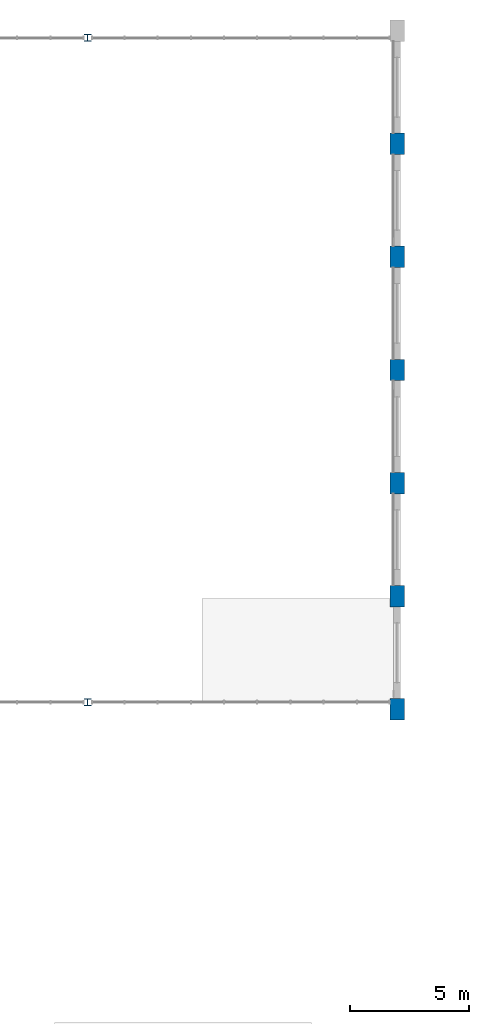
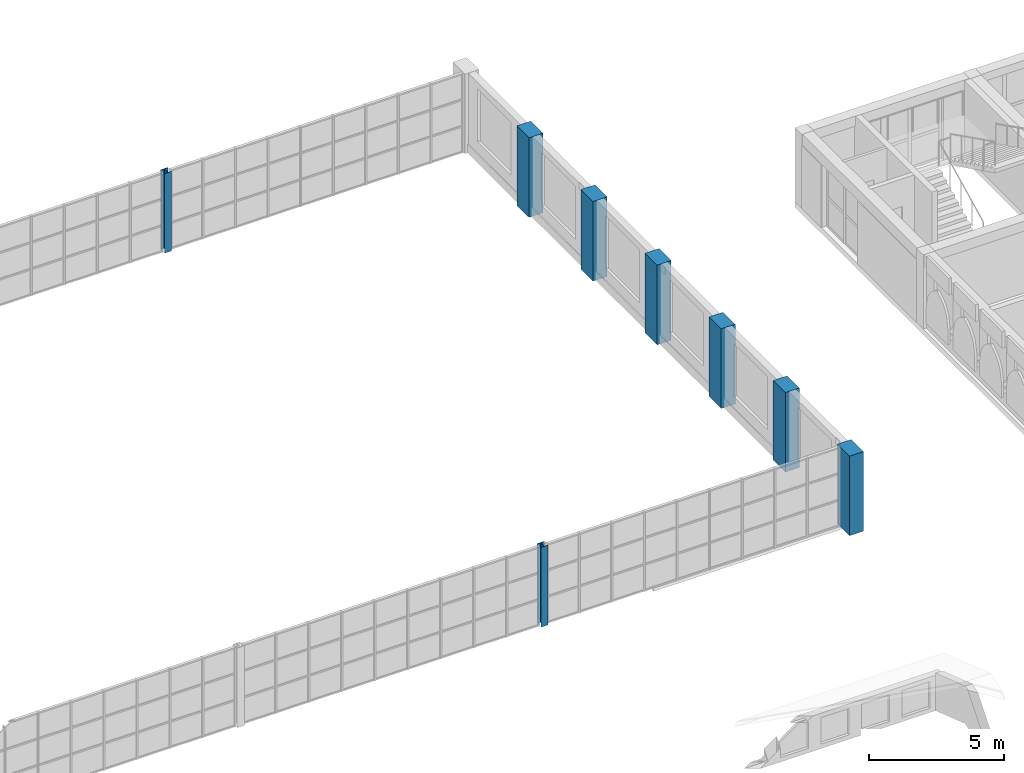
# One storey, part 3 of 70: 8 columns.
"""IFC4 building model written with IfcOpenShell, lengths in metres."""

from ifc_helpers import new_model, si_unit, direction, frame, origin, origin_2d, place, context, subcontext, project, spatial, rectangle, i_section, extrude, material, material_profile, profile_set, type_object, element, save


model = new_model("IFC4")

# Units and contexts
model_context = context("Model", 3, precision=1e-05, world=origin(), true_north=direction((0.0, 1.0)))
body_context = subcontext(model_context, "Body", "Model", "MODEL_VIEW")
ifc_project = project(units=[si_unit("LENGTHUNIT", "METRE"), si_unit("AREAUNIT", "SQUARE_METRE"), si_unit("VOLUMEUNIT", "CUBIC_METRE"), si_unit("PLANEANGLEUNIT", "RADIAN"), si_unit("MASSUNIT", "GRAM", prefix="KILO")], contexts=[model_context])

# Site, building, storey
site_placement = place(None, origin())
site = spatial("IfcSite", under=ifc_project, at=site_placement, CompositionType="ELEMENT")
building_placement = place(site_placement, origin())
building = spatial("IfcBuilding", under=site, at=building_placement, Name="Elbe Cascade School", CompositionType="ELEMENT")
storey_placement = place(building_placement, frame((0.0, 0.0, 8.10009765625)))
storey = spatial("IfcBuildingStorey", under=building, at=storey_placement, Name="L02", CompositionType="ELEMENT", Elevation=8.10009765625)

# Columns
ifc_material_1 = material(Name="Steel S355J2", Category="steel")
ifc_material_profile_1 = material_profile(ifc_material_1, i_section(OverallWidth=0.300048828125, OverallDepth=0.300048828125, WebThickness=0.010986328125, FlangeThickness=0.01904296875, FilletRadius=0.027099609375, at=origin_2d()), Name="HEB 300")
ifc_profile_set_1 = profile_set([ifc_material_profile_1], Name="Steel S355J2")
column_type_1 = type_object("IfcColumnType", Name="Hall gable post HEB 300", PredefinedType="COLUMN", material=ifc_profile_set_1)
for number, where, z_axis, x_axis, name in (
    (1, (47.0, 41.300048828125, 0.0), (0.0, 0.0, 1.0), (1.0, 0.0, 0.0), "Gable post S47"),
    (2, (47.0, 69.199951171875, 0.0), (0.0, 0.0, 1.0), (1.0, 0.0, 0.0), "Gable post N47"),
):
    element("IfcColumn", number, at=place(storey_placement, frame(where, z_axis=z_axis, x_axis=x_axis)), inside=storey, type_object=column_type_1, Name=name, PredefinedType="COLUMN", context=body_context, shape_type="SweptSolid", body=[
        extrude(i_section(OverallWidth=0.300048828125, OverallDepth=0.300048828125, WebThickness=0.010986328125, FlangeThickness=0.01904296875, FilletRadius=0.027099609375, at=origin_2d()), origin(), (0.0, 0.0, 1.0), 3.599853515625),
    ])
ifc_material_2 = material(Name="Concrete C30/37", Category="concrete")
ifc_material_profile_2 = material_profile(ifc_material_2, rectangle(XDim=0.60009765625, YDim=0.89990234375, at=origin_2d()), Name="RC 600x900")
ifc_profile_set_2 = profile_set([ifc_material_profile_2], Name="Concrete C30/37")
column_type_2 = type_object("IfcColumnType", Name="Hall pilaster RC 600x900", PredefinedType="COLUMN", material=ifc_profile_set_2)
for number, where, z_axis, x_axis, name in (
    (3, (60.0, 41.0, 0.0), (0.0, 0.0, 1.0), (1.0, 0.0, 0.0), "Pilaster E1"),
    (4, (60.0, 45.75, 0.0), (0.0, 0.0, 1.0), (1.0, 0.0, 0.0), "Pilaster E2"),
    (5, (60.0, 50.5, 0.0), (0.0, 0.0, 1.0), (1.0, 0.0, 0.0), "Pilaster E3"),
    (6, (60.0, 55.25, 0.0), (0.0, 0.0, 1.0), (1.0, 0.0, 0.0), "Pilaster E4"),
    (7, (60.0, 60.0, 0.0), (0.0, 0.0, 1.0), (1.0, 0.0, 0.0), "Pilaster E5"),
    (8, (60.0, 64.75, 0.0), (0.0, 0.0, 1.0), (1.0, 0.0, 0.0), "Pilaster E6"),
):
    element("IfcColumn", number, at=place(storey_placement, frame(where, z_axis=z_axis, x_axis=x_axis)), inside=storey, type_object=column_type_2, Name=name, PredefinedType="COLUMN", context=body_context, shape_type="SweptSolid", body=[
        extrude(rectangle(XDim=0.60009765625, YDim=0.89990234375, at=origin_2d()), origin(), (0.0, 0.0, 1.0), 3.599853515625),
    ])

save(model, "model.ifc")
